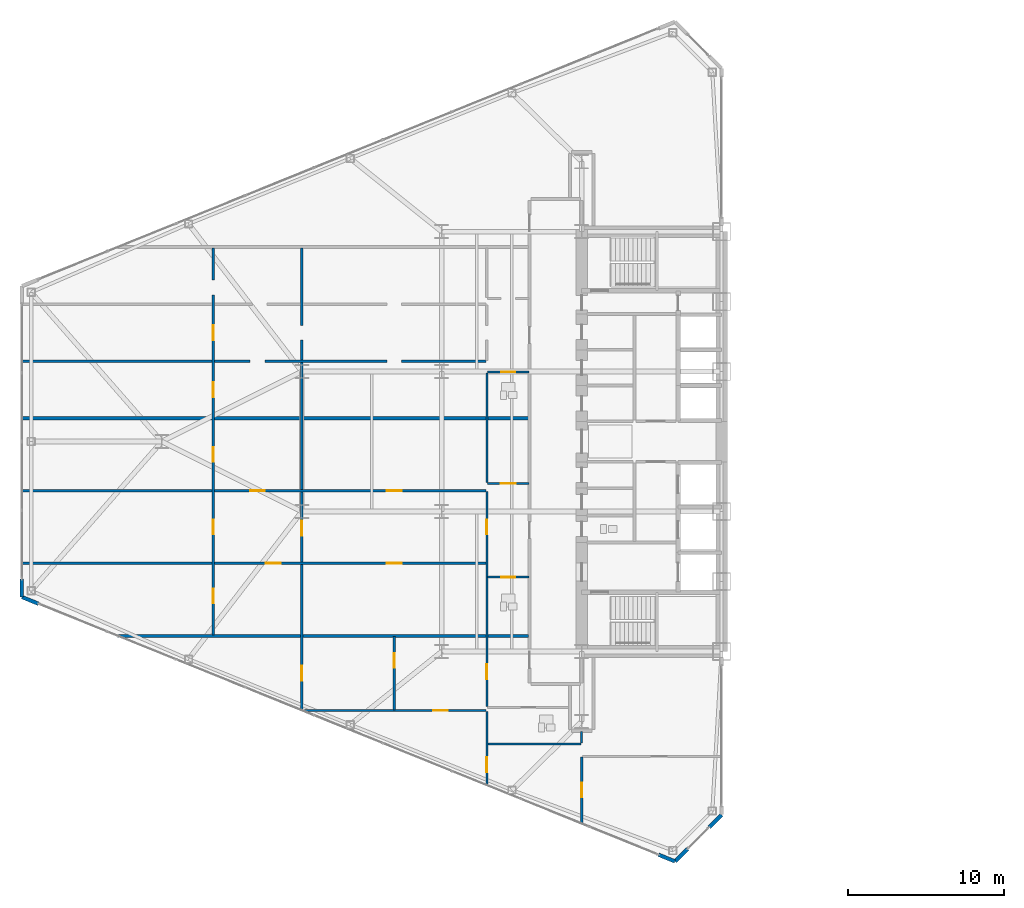
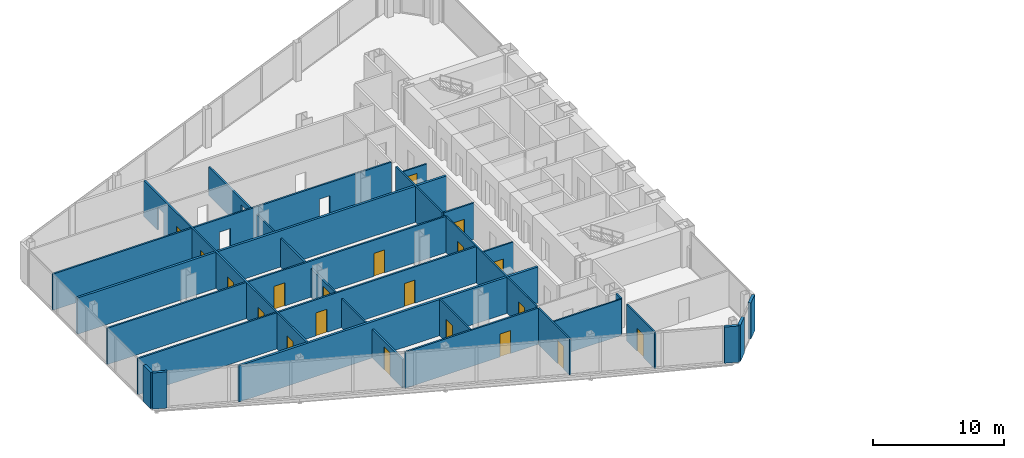
# One storey, part 17 of 25: 23 walls, 20 doors, 24 openings.
"""IFC4 building model written with IfcOpenShell, lengths in metres."""

from ifc_helpers import new_model, si_unit, direction, frame, frame_2d, origin, place, context, subcontext, project, spatial, rectangle, extrude, source, transform, mapped, material, layer, layer_set, type_object, type_shapes, element, fill, save


model = new_model("IFC4")

# Units and contexts
model_context = context("Model", 3, precision=1e-05, world=origin(), true_north=direction((0.0, 1.0)))
body_context = subcontext(model_context, "Body", "Model", "MODEL_VIEW")
ifc_project = project(units=[si_unit("LENGTHUNIT", "METRE"), si_unit("AREAUNIT", "SQUARE_METRE"), si_unit("VOLUMEUNIT", "CUBIC_METRE"), si_unit("PLANEANGLEUNIT", "RADIAN"), si_unit("MASSUNIT", "GRAM", prefix="KILO")], contexts=[model_context])

# Site, building, storey
site_placement = place(None, origin())
site = spatial("IfcSite", under=ifc_project, at=site_placement, CompositionType="ELEMENT")
building_placement = place(site_placement, origin())
building = spatial("IfcBuilding", under=site, at=building_placement, Name="Seokmaru Belvedere", CompositionType="ELEMENT")
storey_placement = place(building_placement, frame((0.0, 0.0, 58.5)))
storey = spatial("IfcBuildingStorey", under=building, at=storey_placement, Name="L15", CompositionType="ELEMENT", Elevation=58.5)

# Wall, opening, door
ifc_material_1 = material(Name="Fire-Rated Gypsum Shaftwall")
ifc_layer_1 = layer(ifc_material_1, 0.14990234375)
ifc_layer_set_1 = layer_set([ifc_layer_1], Name="Fire-Rated Gypsum Shaftwall")
wall_type_1 = type_object("IfcWallType", Name="Apartment Fire-Acoustic Room Partition 150", PredefinedType="PARTITIONING", material=ifc_layer_set_1)
wall_1_placement = place(storey_placement, frame((-54.412109375, -17.300048828125, 0.0), z_axis=(0.0, 0.0, 1.0), x_axis=(1.0, 0.0, 0.0)))
wall_1 = element("IfcWall", 1, at=wall_1_placement, inside=storey, type_object=wall_type_1, Name="L15 Interior Partition 005", PredefinedType="PARTITIONING", context=body_context, shape_type="SweptSolid", body=[
    extrude(rectangle(XDim=11.76220703125, YDim=0.14990234375, at=frame_2d((5.881103515625, 0.0))), origin(), (0.0, 0.0, 1.0), 3.3798828125),
])
opening_1_placement = place(wall_1_placement, frame((8.362060546875, 0.0, 0.0)))
opening_1 = element("IfcOpeningElement", 2, at=opening_1_placement, cuts=wall_1, Name="Opening D05", PredefinedType="OPENING", context=body_context, shape_type="SweptSolid", body=[
    extrude(rectangle(XDim=0.949951171875, YDim=2.14990234375, at=frame_2d((0.47509765625, 1.074951171875))), frame((0.0, 0.0849609375, 0.0), z_axis=(0.0, -1.0, 0.0), x_axis=(1.0, 0.0, 0.0)), (0.0, 0.0, 1.0), 0.169921875),
])
ifc_material_2 = material(Name="Engineered White Oak Timber", Category="wood")
door_type_1 = type_object("IfcDoorType", Name="Apartment Interior Fire-Rated Oak Door 950x2150", OperationType="NOTDEFINED", PredefinedType="DOOR", material=ifc_material_2)
shared_shape_1 = source(origin(), body_context, "Body", "SweptSolid", [
    extrude(rectangle(XDim=0.949951171875, YDim=2.14990234375, at=frame_2d((0.47509765625, 1.074951171875))), frame((0.0, 0.02490234375, 0.0), z_axis=(0.0, -1.0, 0.0), x_axis=(1.0, 0.0, 0.0)), (0.0, 0.0, 1.0), 0.050048828125),
])
type_shapes(door_type_1, [shared_shape_1])
door_1_placement = place(opening_1_placement, origin())
door_1 = element("IfcDoor", 3, at=door_1_placement, inside=storey, type_object=door_type_1, Name="L15 Interior Door 004", OperationType="SINGLE_SWING_LEFT", OverallHeight=2.14990234375, OverallWidth=0.949951171875, PredefinedType="DOOR", context=body_context, shape_type="MappedRepresentation", body=[
    mapped(shared_shape_1, transform((0.0, 0.0, 0.0), scale=1.0)),
])
fill(opening_1, door_1)

# Wall, openings, doors
wall_2_placement = place(storey_placement, frame((-72.534912109375, -7.830078125, 0.0), z_axis=(0.0, 0.0, 1.0), x_axis=(1.0, 0.0, 0.0)))
wall_2 = element("IfcWall", 4, at=wall_2_placement, inside=storey, type_object=wall_type_1, Name="L15 Interior Partition 011", PredefinedType="PARTITIONING", context=body_context, shape_type="SweptSolid", body=[
    extrude(rectangle(XDim=29.885009765625, YDim=0.14990234375, at=frame_2d((14.9423828125, 0.0))), origin(), (0.0, 0.0, 1.0), 3.3798828125),
])
opening_2_placement = place(wall_2_placement, frame((23.510009765625, 0.0, 0.0)))
opening_2 = element("IfcOpeningElement", 5, at=opening_2_placement, cuts=wall_2, Name="Opening D05", PredefinedType="OPENING", context=body_context, shape_type="SweptSolid", body=[
    extrude(rectangle(XDim=0.949951171875, YDim=2.14990234375, at=frame_2d((0.47509765625, 1.074951171875))), frame((0.0, 0.0849609375, 0.0), z_axis=(0.0, -1.0, 0.0), x_axis=(1.0, 0.0, 0.0)), (0.0, 0.0, 1.0), 0.169921875),
])
opening_3_placement = place(wall_2_placement, frame((15.731201171875, 0.0, 0.0)))
opening_3 = element("IfcOpeningElement", 6, at=opening_3_placement, cuts=wall_2, Name="Opening D05", PredefinedType="OPENING", context=body_context, shape_type="SweptSolid", body=[
    extrude(rectangle(XDim=0.949951171875, YDim=2.14990234375, at=frame_2d((0.47509765625, 1.074951171875))), frame((0.0, 0.0849609375, 0.0), z_axis=(0.0, -1.0, 0.0), x_axis=(1.0, 0.0, 0.0)), (0.0, 0.0, 1.0), 0.169921875),
])
door_2_placement = place(opening_2_placement, origin())
door_2 = element("IfcDoor", 7, at=door_2_placement, inside=storey, type_object=door_type_1, Name="L15 Interior Door 015", OperationType="SINGLE_SWING_RIGHT", OverallHeight=2.14990234375, OverallWidth=0.949951171875, PredefinedType="DOOR", context=body_context, shape_type="MappedRepresentation", body=[
    mapped(shared_shape_1, transform((0.0, 0.0, 0.0), scale=1.0)),
])
fill(opening_2, door_2)
door_3_placement = place(opening_3_placement, origin())
door_3 = element("IfcDoor", 8, at=door_3_placement, inside=storey, type_object=door_type_1, Name="L15 Interior Door 017", OperationType="SINGLE_SWING_LEFT", OverallHeight=2.14990234375, OverallWidth=0.949951171875, PredefinedType="DOOR", context=body_context, shape_type="MappedRepresentation", body=[
    mapped(shared_shape_1, transform((0.0, 0.0, 0.0), scale=1.0)),
])
fill(opening_3, door_3)

wall_3_placement = place(storey_placement, frame((-72.534912109375, -3.169921875, 0.0), z_axis=(0.0, 0.0, 1.0), x_axis=(1.0, 0.0, 0.0)))
wall_3 = element("IfcWall", 9, at=wall_3_placement, inside=storey, type_object=wall_type_1, Name="L15 Interior Partition 013", PredefinedType="PARTITIONING", context=body_context, shape_type="SweptSolid", body=[
    extrude(rectangle(XDim=29.885009765625, YDim=0.14990234375, at=frame_2d((14.9423828125, 0.0))), origin(), (0.0, 0.0, 1.0), 3.3798828125),
])
opening_4_placement = place(wall_3_placement, frame((23.510009765625, 0.0, 0.0)))
opening_4 = element("IfcOpeningElement", 10, at=opening_4_placement, cuts=wall_3, Name="Opening D05", PredefinedType="OPENING", context=body_context, shape_type="SweptSolid", body=[
    extrude(rectangle(XDim=0.949951171875, YDim=2.14990234375, at=frame_2d((0.47509765625, 1.074951171875))), frame((0.0, 0.0849609375, 0.0), z_axis=(0.0, -1.0, 0.0), x_axis=(1.0, 0.0, 0.0)), (0.0, 0.0, 1.0), 0.169921875),
])
opening_5_placement = place(wall_3_placement, frame((14.7099609375, 0.0, 0.0)))
opening_5 = element("IfcOpeningElement", 11, at=opening_5_placement, cuts=wall_3, Name="Opening D05", PredefinedType="OPENING", context=body_context, shape_type="SweptSolid", body=[
    extrude(rectangle(XDim=0.949951171875, YDim=2.14990234375, at=frame_2d((0.47509765625, 1.074951171875))), frame((0.0, 0.0849609375, 0.0), z_axis=(0.0, -1.0, 0.0), x_axis=(1.0, 0.0, 0.0)), (0.0, 0.0, 1.0), 0.169921875),
])
door_4_placement = place(opening_4_placement, origin())
door_4 = element("IfcDoor", 12, at=door_4_placement, inside=storey, type_object=door_type_1, Name="L15 Interior Door 016", OperationType="SINGLE_SWING_LEFT", OverallHeight=2.14990234375, OverallWidth=0.949951171875, PredefinedType="DOOR", context=body_context, shape_type="MappedRepresentation", body=[
    mapped(shared_shape_1, transform((0.0, 0.0, 0.0), scale=1.0)),
])
fill(opening_4, door_4)
door_5_placement = place(opening_5_placement, origin())
door_5 = element("IfcDoor", 13, at=door_5_placement, inside=storey, type_object=door_type_1, Name="L15 Interior Door 020", OperationType="SINGLE_SWING_LEFT", OverallHeight=2.14990234375, OverallWidth=0.949951171875, PredefinedType="DOOR", context=body_context, shape_type="MappedRepresentation", body=[
    mapped(shared_shape_1, transform((0.0, 0.0, 0.0), scale=1.0)),
])
fill(opening_5, door_5)

# Wall, opening, door
wall_4_placement = place(storey_placement, frame((-42.550048828125, -2.699951171875, 0.0), z_axis=(0.0, 0.0, 1.0), x_axis=(1.0, 0.0, 0.0)))
wall_4 = element("IfcWall", 14, at=wall_4_placement, inside=storey, type_object=wall_type_1, Name="L15 Interior Partition 014", PredefinedType="PARTITIONING", context=body_context, shape_type="SweptSolid", body=[
    extrude(rectangle(XDim=2.650146484375, YDim=0.14990234375, at=frame_2d((1.3251953125, 0.0))), origin(), (0.0, 0.0, 1.0), 3.3798828125),
])
opening_6_placement = place(wall_4_placement, frame((0.85009765625, 0.0, 0.0)))
opening_6 = element("IfcOpeningElement", 15, at=opening_6_placement, cuts=wall_4, Name="Opening D05", PredefinedType="OPENING", context=body_context, shape_type="SweptSolid", body=[
    extrude(rectangle(XDim=0.949951171875, YDim=2.14990234375, at=frame_2d((0.47509765625, 1.074951171875))), frame((0.0, 0.0849609375, 0.0), z_axis=(0.0, -1.0, 0.0), x_axis=(1.0, 0.0, 0.0)), (0.0, 0.0, 1.0), 0.169921875),
])
door_6_placement = place(opening_6_placement, origin())
door_6 = element("IfcDoor", 16, at=door_6_placement, inside=storey, type_object=door_type_1, Name="L15 Interior Door 012", OperationType="SINGLE_SWING_LEFT", OverallHeight=2.14990234375, OverallWidth=0.949951171875, PredefinedType="DOOR", context=body_context, shape_type="MappedRepresentation", body=[
    mapped(shared_shape_1, transform((0.0, 0.0, 0.0), scale=1.0)),
])
fill(opening_6, door_6)

# Wall, openings
wall_5_placement = place(storey_placement, frame((-72.534912109375, 5.169921875, 0.0), z_axis=(0.0, 0.0, 1.0), x_axis=(1.0, 0.0, 0.0)))
wall_5 = element("IfcWall", 17, at=wall_5_placement, inside=storey, type_object=wall_type_1, Name="L15 Interior Partition 021", PredefinedType="PARTITIONING", context=body_context, shape_type="SweptSolid", body=[
    extrude(rectangle(XDim=29.885009765625, YDim=0.14990234375, at=frame_2d((14.9423828125, 0.0))), origin(), (0.0, 0.0, 1.0), 3.3798828125),
])
opening_7_placement = place(wall_5_placement, frame((23.510009765625, 0.0, 0.0)))
element("IfcOpeningElement", 18, at=opening_7_placement, cuts=wall_5, Name="L15 Cased Opening 027", PredefinedType="OPENING", context=body_context, shape_type="SweptSolid", body=[
    extrude(rectangle(XDim=0.949951171875, YDim=2.14990234375, at=frame_2d((0.47509765625, 1.074951171875))), frame((0.0, 0.0849609375, 0.0), z_axis=(0.0, -1.0, 0.0), x_axis=(1.0, 0.0, 0.0)), (0.0, 0.0, 1.0), 0.169921875),
])
opening_8_placement = place(wall_5_placement, frame((14.7099609375, 0.0, 0.0)))
element("IfcOpeningElement", 19, at=opening_8_placement, cuts=wall_5, Name="L15 Cased Opening 029", PredefinedType="OPENING", context=body_context, shape_type="SweptSolid", body=[
    extrude(rectangle(XDim=0.949951171875, YDim=2.14990234375, at=frame_2d((0.47509765625, 1.074951171875))), frame((0.0, 0.0849609375, 0.0), z_axis=(0.0, -1.0, 0.0), x_axis=(1.0, 0.0, 0.0)), (0.0, 0.0, 1.0), 0.169921875),
])

# Wall, openings, doors
wall_6_placement = place(storey_placement, frame((-60.199951171875, -12.449951171875, 0.0), z_axis=(0.0, 0.0, 1.0), x_axis=(0.0, 1.0, 0.0)))
wall_6 = element("IfcWall", 20, at=wall_6_placement, inside=storey, type_object=wall_type_1, Name="L15 Interior Partition 036", PredefinedType="PARTITIONING", context=body_context, shape_type="SweptSolid", body=[
    extrude(rectangle(XDim=24.89990234375, YDim=0.14990234375, at=frame_2d((12.449951171875, 0.0))), origin(), (0.0, 0.0, 1.0), 3.3798828125),
])
opening_9_placement = place(wall_6_placement, frame((2.049072265625, 0.0, 0.0)))
opening_9 = element("IfcOpeningElement", 21, at=opening_9_placement, cuts=wall_6, Name="Opening D05", PredefinedType="OPENING", context=body_context, shape_type="SweptSolid", body=[
    extrude(rectangle(XDim=0.949951171875, YDim=2.14990234375, at=frame_2d((0.47509765625, 1.074951171875))), frame((0.0, 0.0849609375, 0.0), z_axis=(0.0, -1.0, 0.0), x_axis=(1.0, 0.0, 0.0)), (0.0, 0.0, 1.0), 0.169921875),
])
opening_10_placement = place(wall_6_placement, frame((6.47509765625, 0.0, 0.0)))
opening_10 = element("IfcOpeningElement", 22, at=opening_10_placement, cuts=wall_6, Name="Opening D05", PredefinedType="OPENING", context=body_context, shape_type="SweptSolid", body=[
    extrude(rectangle(XDim=0.949951171875, YDim=2.14990234375, at=frame_2d((0.47509765625, 1.074951171875))), frame((0.0, 0.0849609375, 0.0), z_axis=(0.0, -1.0, 0.0), x_axis=(1.0, 0.0, 0.0)), (0.0, 0.0, 1.0), 0.169921875),
])
opening_11_placement = place(wall_6_placement, frame((11.1416015625, 0.0, 0.0)))
opening_11 = element("IfcOpeningElement", 23, at=opening_11_placement, cuts=wall_6, Name="Opening D05", PredefinedType="OPENING", context=body_context, shape_type="SweptSolid", body=[
    extrude(rectangle(XDim=0.949951171875, YDim=2.14990234375, at=frame_2d((0.47509765625, 1.074951171875))), frame((0.0, 0.0849609375, 0.0), z_axis=(0.0, -1.0, 0.0), x_axis=(1.0, 0.0, 0.0)), (0.0, 0.0, 1.0), 0.169921875),
])
opening_12_placement = place(wall_6_placement, frame((15.308349609375, 0.0, 0.0)))
opening_12 = element("IfcOpeningElement", 24, at=opening_12_placement, cuts=wall_6, Name="Opening D05", PredefinedType="OPENING", context=body_context, shape_type="SweptSolid", body=[
    extrude(rectangle(XDim=0.949951171875, YDim=2.14990234375, at=frame_2d((0.47509765625, 1.074951171875))), frame((0.0, 0.0849609375, 0.0), z_axis=(0.0, -1.0, 0.0), x_axis=(1.0, 0.0, 0.0)), (0.0, 0.0, 1.0), 0.169921875),
])
opening_13_placement = place(wall_6_placement, frame((18.97509765625, 0.0, 0.0)))
opening_13 = element("IfcOpeningElement", 25, at=opening_13_placement, cuts=wall_6, Name="Opening D05", PredefinedType="OPENING", context=body_context, shape_type="SweptSolid", body=[
    extrude(rectangle(XDim=0.949951171875, YDim=2.14990234375, at=frame_2d((0.47509765625, 1.074951171875))), frame((0.0, 0.0849609375, 0.0), z_axis=(0.0, -1.0, 0.0), x_axis=(1.0, 0.0, 0.0)), (0.0, 0.0, 1.0), 0.169921875),
])
opening_14_placement = place(wall_6_placement, frame((21.87548828125, 0.0, 0.0)))
element("IfcOpeningElement", 26, at=opening_14_placement, cuts=wall_6, Name="L15 Cased Opening 033", PredefinedType="OPENING", context=body_context, shape_type="SweptSolid", body=[
    extrude(rectangle(XDim=0.949951171875, YDim=2.14990234375, at=frame_2d((0.47509765625, 1.074951171875))), frame((0.0, 0.0849609375, 0.0), z_axis=(0.0, -1.0, 0.0), x_axis=(1.0, 0.0, 0.0)), (0.0, 0.0, 1.0), 0.169921875),
])
door_7_placement = place(opening_9_placement, origin())
door_7 = element("IfcDoor", 27, at=door_7_placement, inside=storey, type_object=door_type_1, Name="L15 Interior Door 018", OperationType="SINGLE_SWING_RIGHT", OverallHeight=2.14990234375, OverallWidth=0.949951171875, PredefinedType="DOOR", context=body_context, shape_type="MappedRepresentation", body=[
    mapped(shared_shape_1, transform((0.0, 0.0, 0.0), scale=1.0)),
])
fill(opening_9, door_7)
door_8_placement = place(opening_10_placement, origin())
door_8 = element("IfcDoor", 28, at=door_8_placement, inside=storey, type_object=door_type_1, Name="L15 Interior Door 019", OperationType="SINGLE_SWING_RIGHT", OverallHeight=2.14990234375, OverallWidth=0.949951171875, PredefinedType="DOOR", context=body_context, shape_type="MappedRepresentation", body=[
    mapped(shared_shape_1, transform((0.0, 0.0, 0.0), scale=1.0)),
])
fill(opening_10, door_8)
door_9_placement = place(opening_11_placement, origin())
door_9 = element("IfcDoor", 29, at=door_9_placement, inside=storey, type_object=door_type_1, Name="L15 Interior Door 021", OperationType="SINGLE_SWING_RIGHT", OverallHeight=2.14990234375, OverallWidth=0.949951171875, PredefinedType="DOOR", context=body_context, shape_type="MappedRepresentation", body=[
    mapped(shared_shape_1, transform((0.0, 0.0, 0.0), scale=1.0)),
])
fill(opening_11, door_9)
door_10_placement = place(opening_12_placement, origin())
door_10 = element("IfcDoor", 30, at=door_10_placement, inside=storey, type_object=door_type_1, Name="L15 Interior Door 030", OperationType="SINGLE_SWING_RIGHT", OverallHeight=2.14990234375, OverallWidth=0.949951171875, PredefinedType="DOOR", context=body_context, shape_type="MappedRepresentation", body=[
    mapped(shared_shape_1, transform((0.0, 0.0, 0.0), scale=1.0)),
])
fill(opening_12, door_10)
door_11_placement = place(opening_13_placement, origin())
door_11 = element("IfcDoor", 31, at=door_11_placement, inside=storey, type_object=door_type_1, Name="L15 Interior Door 031", OperationType="SINGLE_SWING_RIGHT", OverallHeight=2.14990234375, OverallWidth=0.949951171875, PredefinedType="DOOR", context=body_context, shape_type="MappedRepresentation", body=[
    mapped(shared_shape_1, transform((0.0, 0.0, 0.0), scale=1.0)),
])
fill(opening_13, door_11)

wall_7_placement = place(storey_placement, frame((-54.5, -17.236083984375, 0.0), z_axis=(0.0, 0.0, 1.0), x_axis=(0.0, 1.0, 0.0)))
wall_7 = element("IfcWall", 32, at=wall_7_placement, inside=storey, type_object=wall_type_1, Name="L15 Interior Partition 037", PredefinedType="PARTITIONING", context=body_context, shape_type="SweptSolid", body=[
    extrude(rectangle(XDim=29.68603515625, YDim=0.14990234375, at=frame_2d((14.843017578125, 0.0))), origin(), (0.0, 0.0, 1.0), 2.679931640625),
])
opening_15_placement = place(wall_7_placement, frame((1.8681640625, 0.0, 0.0)))
opening_15 = element("IfcOpeningElement", 33, at=opening_15_placement, cuts=wall_7, Name="Opening D05", PredefinedType="OPENING", context=body_context, shape_type="SweptSolid", body=[
    extrude(rectangle(XDim=0.949951171875, YDim=2.14990234375, at=frame_2d((0.47509765625, 1.074951171875))), frame((0.0, 0.0849609375, 0.0), z_axis=(0.0, -1.0, 0.0), x_axis=(1.0, 0.0, 0.0)), (0.0, 0.0, 1.0), 0.169921875),
])
opening_16_placement = place(wall_7_placement, frame((11.1875, 0.0, 0.0)))
opening_16 = element("IfcOpeningElement", 34, at=opening_16_placement, cuts=wall_7, Name="Opening D05", PredefinedType="OPENING", context=body_context, shape_type="SweptSolid", body=[
    extrude(rectangle(XDim=0.949951171875, YDim=2.14990234375, at=frame_2d((0.47509765625, 1.074951171875))), frame((0.0, 0.0849609375, 0.0), z_axis=(0.0, -1.0, 0.0), x_axis=(1.0, 0.0, 0.0)), (0.0, 0.0, 1.0), 0.169921875),
])
opening_17_placement = place(wall_7_placement, frame((23.760986328125, 0.0, 0.0)))
element("IfcOpeningElement", 35, at=opening_17_placement, cuts=wall_7, Name="L15 Cased Opening 026", PredefinedType="OPENING", context=body_context, shape_type="SweptSolid", body=[
    extrude(rectangle(XDim=0.949951171875, YDim=2.14990234375, at=frame_2d((0.47509765625, 1.074951171875))), frame((0.0, 0.0849609375, 0.0), z_axis=(0.0, -1.0, 0.0), x_axis=(1.0, 0.0, 0.0)), (0.0, 0.0, 1.0), 0.169921875),
])
door_12_placement = place(opening_15_placement, origin())
door_12 = element("IfcDoor", 36, at=door_12_placement, inside=storey, type_object=door_type_1, Name="L15 Interior Door 007", OperationType="SINGLE_SWING_LEFT", OverallHeight=2.14990234375, OverallWidth=0.949951171875, PredefinedType="DOOR", context=body_context, shape_type="MappedRepresentation", body=[
    mapped(shared_shape_1, transform((0.0, 0.0, 0.0), scale=1.0)),
])
fill(opening_15, door_12)
door_13_placement = place(opening_16_placement, origin())
door_13 = element("IfcDoor", 37, at=door_13_placement, inside=storey, type_object=door_type_1, Name="L15 Interior Door 014", OperationType="SINGLE_SWING_LEFT", OverallHeight=2.14990234375, OverallWidth=0.949951171875, PredefinedType="DOOR", context=body_context, shape_type="MappedRepresentation", body=[
    mapped(shared_shape_1, transform((0.0, 0.0, 0.0), scale=1.0)),
])
fill(opening_16, door_13)

# Wall, opening, door
wall_8_placement = place(storey_placement, frame((-48.550048828125, -17.2509765625, 0.0), z_axis=(0.0, 0.0, 1.0), x_axis=(0.0, 1.0, 0.0)))
wall_8 = element("IfcWall", 38, at=wall_8_placement, inside=storey, type_object=wall_type_1, Name="L15 Interior Partition 038", PredefinedType="PARTITIONING", context=body_context, shape_type="SweptSolid", body=[
    extrude(rectangle(XDim=4.700927734375, YDim=0.14990234375, at=frame_2d((2.3505859375, 0.0))), origin(), (0.0, 0.0, 1.0), 3.3798828125),
])
opening_18_placement = place(wall_8_placement, frame((2.696044921875, 0.0, 0.0)))
opening_18 = element("IfcOpeningElement", 39, at=opening_18_placement, cuts=wall_8, Name="Opening D05", PredefinedType="OPENING", context=body_context, shape_type="SweptSolid", body=[
    extrude(rectangle(XDim=0.949951171875, YDim=2.14990234375, at=frame_2d((0.47509765625, 1.074951171875))), frame((0.0, 0.0849609375, 0.0), z_axis=(0.0, -1.0, 0.0), x_axis=(1.0, 0.0, 0.0)), (0.0, 0.0, 1.0), 0.169921875),
])
door_14_placement = place(opening_18_placement, origin())
door_14 = element("IfcDoor", 40, at=door_14_placement, inside=storey, type_object=door_type_1, Name="L15 Interior Door 005", OperationType="SINGLE_SWING_RIGHT", OverallHeight=2.14990234375, OverallWidth=0.949951171875, PredefinedType="DOOR", context=body_context, shape_type="MappedRepresentation", body=[
    mapped(shared_shape_1, transform((0.0, 0.0, 0.0), scale=1.0)),
])
fill(opening_18, door_14)

wall_9_placement = place(storey_placement, frame((-36.5, -24.60595703125, 0.0), z_axis=(0.0, 0.0, 1.0), x_axis=(0.0, 1.0, 0.0)))
wall_9 = element("IfcWall", 41, at=wall_9_placement, inside=storey, type_object=wall_type_1, Name="L15 Interior Partition 047", PredefinedType="PARTITIONING", context=body_context, shape_type="SweptSolid", body=[
    extrude(rectangle(XDim=4.305908203125, YDim=0.14990234375, at=frame_2d((2.15283203125, 0.0))), origin(), (0.0, 0.0, 1.0), 3.3798828125),
])
opening_19_placement = place(wall_9_placement, frame((1.72021484375, 0.0, 0.0)))
opening_19 = element("IfcOpeningElement", 42, at=opening_19_placement, cuts=wall_9, Name="Opening D05", PredefinedType="OPENING", context=body_context, shape_type="SweptSolid", body=[
    extrude(rectangle(XDim=0.949951171875, YDim=2.14990234375, at=frame_2d((0.47509765625, 1.074951171875))), frame((0.0, 0.0849609375, 0.0), z_axis=(0.0, -1.0, 0.0), x_axis=(1.0, 0.0, 0.0)), (0.0, 0.0, 1.0), 0.169921875),
])
door_15_placement = place(opening_19_placement, origin())
door_15 = element("IfcDoor", 43, at=door_15_placement, inside=storey, type_object=door_type_1, Name="L15 Interior Door 008", OperationType="SINGLE_SWING_RIGHT", OverallHeight=2.14990234375, OverallWidth=0.949951171875, PredefinedType="DOOR", context=body_context, shape_type="MappedRepresentation", body=[
    mapped(shared_shape_1, transform((0.0, 0.0, 0.0), scale=1.0)),
])
fill(opening_19, door_15)

# Walls
ifc_layer_2 = layer(ifc_material_1, 0.199951171875)
ifc_layer_set_2 = layer_set([ifc_layer_2], Name="Fire-Rated Gypsum Shaftwall")
wall_type_2 = type_object("IfcWallType", Name="Inter-Tenancy Fire Compartment Partition 200", PredefinedType="PARTITIONING", material=ifc_layer_set_2)
wall_10_placement = place(storey_placement, frame((-66.3369140625, -12.5, 0.0), z_axis=(0.0, 0.0, 1.0), x_axis=(1.0, 0.0, 0.0)))
element("IfcWall", 44, at=wall_10_placement, inside=storey, type_object=wall_type_2, Name="L15 Interior Partition 009", PredefinedType="PARTITIONING", context=body_context, shape_type="SweptSolid", body=[
    extrude(rectangle(XDim=26.406982421875, YDim=0.199951171875, at=frame_2d((13.20361328125, 0.0))), origin(), (0.0, 0.0, 1.0), 3.3798828125),
])
wall_11_placement = place(storey_placement, frame((-72.5048828125, 1.5, 0.0), z_axis=(0.0, 0.0, 1.0), x_axis=(1.0, 0.0, 0.0)))
element("IfcWall", 45, at=wall_11_placement, inside=storey, type_object=wall_type_2, Name="L15 Interior Partition 017", PredefinedType="PARTITIONING", context=body_context, shape_type="SweptSolid", body=[
    extrude(rectangle(XDim=32.574951171875, YDim=0.199951171875, at=frame_2d((16.28759765625, 0.0))), origin(), (0.0, 0.0, 1.0), 3.3798828125),
])
ifc_layer_3 = layer(ifc_material_1, 0.1298828125)
ifc_layer_set_3 = layer_set([ifc_layer_3], Name="Fire-Rated Gypsum Shaftwall")
wall_type_3 = type_object("IfcWallType", Name="Moisture-Resistant Fire-Rated Bathroom Partition 130", PredefinedType="PARTITIONING", material=ifc_layer_set_3)
wall_12_placement = place(storey_placement, frame((-42.550048828125, -19.449951171875, 0.0), z_axis=(0.0, 0.0, 1.0), x_axis=(1.0, 0.0, 0.0)))
element("IfcWall", 46, at=wall_12_placement, inside=storey, type_object=wall_type_3, Name="L15 Interior Partition 002", PredefinedType="PARTITIONING", context=body_context, shape_type="SweptSolid", body=[
    extrude(rectangle(XDim=6.0, YDim=0.1298828125, at=frame_2d((3.0, 0.0))), origin(), (0.0, 0.0, 1.0), 3.3798828125),
])

# Wall, opening, door
wall_13_placement = place(storey_placement, frame((-42.550048828125, -8.719970703125, 0.0), z_axis=(0.0, 0.0, 1.0), x_axis=(1.0, 0.0, 0.0)))
wall_13 = element("IfcWall", 47, at=wall_13_placement, inside=storey, type_object=wall_type_3, Name="L15 Interior Partition 010", PredefinedType="PARTITIONING", context=body_context, shape_type="SweptSolid", body=[
    extrude(rectangle(XDim=2.650146484375, YDim=0.1298828125, at=frame_2d((1.3251953125, 0.0))), origin(), (0.0, 0.0, 1.0), 3.3798828125),
])
opening_20_placement = place(wall_13_placement, frame((0.885009765625, 0.0, 0.0)))
opening_20 = element("IfcOpeningElement", 48, at=opening_20_placement, cuts=wall_13, Name="Opening D06", PredefinedType="OPENING", context=body_context, shape_type="SweptSolid", body=[
    extrude(rectangle(XDim=0.8798828125, YDim=2.10009765625, at=frame_2d((0.43994140625, 1.050048828125))), frame((0.0, 0.074951171875, 0.0), z_axis=(0.0, -1.0, 0.0), x_axis=(1.0, 0.0, 0.0)), (0.0, 0.0, 1.0), 0.14990234375),
])
door_type_2 = type_object("IfcDoorType", Name="Bathroom and Restroom Fire-Rated Door 880x2100", OperationType="NOTDEFINED", PredefinedType="DOOR", material=ifc_material_2)
shared_shape_2 = source(origin(), body_context, "Body", "SweptSolid", [
    extrude(rectangle(XDim=0.8798828125, YDim=2.10009765625, at=frame_2d((0.43994140625, 1.050048828125))), frame((0.0, 0.02490234375, 0.0), z_axis=(0.0, -1.0, 0.0), x_axis=(1.0, 0.0, 0.0)), (0.0, 0.0, 1.0), 0.050048828125),
])
type_shapes(door_type_2, [shared_shape_2])
door_16_placement = place(opening_20_placement, origin())
door_16 = element("IfcDoor", 49, at=door_16_placement, inside=storey, type_object=door_type_2, Name="L15 Interior Door 011", OperationType="SINGLE_SWING_LEFT", OverallHeight=2.10009765625, OverallWidth=0.8798828125, PredefinedType="DOOR", context=body_context, shape_type="MappedRepresentation", body=[
    mapped(shared_shape_2, transform((0.0, 0.0, 0.0), scale=1.0)),
])
fill(opening_20, door_16)

wall_14_placement = place(storey_placement, frame((-42.550048828125, 4.469970703125, 0.0), z_axis=(0.0, 0.0, 1.0), x_axis=(1.0, 0.0, 0.0)))
wall_14 = element("IfcWall", 50, at=wall_14_placement, inside=storey, type_object=wall_type_3, Name="L15 Interior Partition 020", PredefinedType="PARTITIONING", context=body_context, shape_type="SweptSolid", body=[
    extrude(rectangle(XDim=2.650146484375, YDim=0.1298828125, at=frame_2d((1.3251953125, 0.0))), origin(), (0.0, 0.0, 1.0), 2.679931640625),
])
opening_21_placement = place(wall_14_placement, frame((0.885009765625, 0.0, 0.0)))
opening_21 = element("IfcOpeningElement", 51, at=opening_21_placement, cuts=wall_14, Name="Opening D06", PredefinedType="OPENING", context=body_context, shape_type="SweptSolid", body=[
    extrude(rectangle(XDim=0.8798828125, YDim=2.10009765625, at=frame_2d((0.43994140625, 1.050048828125))), frame((0.0, 0.074951171875, 0.0), z_axis=(0.0, -1.0, 0.0), x_axis=(1.0, 0.0, 0.0)), (0.0, 0.0, 1.0), 0.14990234375),
])
door_17_placement = place(opening_21_placement, origin())
door_17 = element("IfcDoor", 52, at=door_17_placement, inside=storey, type_object=door_type_2, Name="L15 Interior Door 023", OperationType="SINGLE_SWING_LEFT", OverallHeight=2.10009765625, OverallWidth=0.8798828125, PredefinedType="DOOR", context=body_context, shape_type="MappedRepresentation", body=[
    mapped(shared_shape_2, transform((0.0, 0.0, 0.0), scale=1.0)),
])
fill(opening_21, door_17)

wall_15_placement = place(storey_placement, frame((-42.60009765625, -22.136962890625, 0.0), z_axis=(0.0, 0.0, 1.0), x_axis=(0.0, 1.0, 0.0)))
wall_15 = element("IfcWall", 53, at=wall_15_placement, inside=storey, type_object=wall_type_3, Name="L15 Interior Partition 039", PredefinedType="PARTITIONING", context=body_context, shape_type="SweptSolid", body=[
    extrude(rectangle(XDim=4.785888671875, YDim=0.1298828125, at=frame_2d((2.39306640625, 0.0))), origin(), (0.0, 0.0, 1.0), 3.3798828125),
])
opening_22_placement = place(wall_15_placement, frame((0.8857421875, 0.0, 0.0)))
opening_22 = element("IfcOpeningElement", 54, at=opening_22_placement, cuts=wall_15, Name="Opening D05", PredefinedType="OPENING", context=body_context, shape_type="SweptSolid", body=[
    extrude(rectangle(XDim=0.949951171875, YDim=2.14990234375, at=frame_2d((0.47509765625, 1.074951171875))), frame((0.0, 0.074951171875, 0.0), z_axis=(0.0, -1.0, 0.0), x_axis=(1.0, 0.0, 0.0)), (0.0, 0.0, 1.0), 0.14990234375),
])
door_18_placement = place(opening_22_placement, origin())
door_18 = element("IfcDoor", 55, at=door_18_placement, inside=storey, type_object=door_type_1, Name="L15 Interior Door 006", OperationType="SINGLE_SWING_RIGHT", OverallHeight=2.14990234375, OverallWidth=0.949951171875, PredefinedType="DOOR", context=body_context, shape_type="MappedRepresentation", body=[
    mapped(shared_shape_1, transform((0.0, 0.0, 0.0), scale=1.0)),
])
fill(opening_22, door_18)

# Wall, openings, doors
wall_16_placement = place(storey_placement, frame((-42.60009765625, -17.050048828125, 0.0), z_axis=(0.0, 0.0, 1.0), x_axis=(0.0, 1.0, 0.0)))
wall_16 = element("IfcWall", 56, at=wall_16_placement, inside=storey, type_object=wall_type_3, Name="L15 Interior Partition 040", PredefinedType="PARTITIONING", context=body_context, shape_type="SweptSolid", body=[
    extrude(rectangle(XDim=13.8330078125, YDim=0.1298828125, at=frame_2d((6.91650390625, 0.0))), origin(), (0.0, 0.0, 1.0), 3.3798828125),
])
opening_23_placement = place(wall_16_placement, frame((1.77490234375, 0.0, 0.0)))
opening_23 = element("IfcOpeningElement", 57, at=opening_23_placement, cuts=wall_16, Name="Opening D05", PredefinedType="OPENING", context=body_context, shape_type="SweptSolid", body=[
    extrude(rectangle(XDim=0.949951171875, YDim=2.14990234375, at=frame_2d((0.47509765625, 1.074951171875))), frame((0.0, 0.074951171875, 0.0), z_axis=(0.0, -1.0, 0.0), x_axis=(1.0, 0.0, 0.0)), (0.0, 0.0, 1.0), 0.14990234375),
])
opening_24_placement = place(wall_16_placement, frame((11.074951171875, 0.0, 0.0)))
opening_24 = element("IfcOpeningElement", 58, at=opening_24_placement, cuts=wall_16, Name="Opening D05", PredefinedType="OPENING", context=body_context, shape_type="SweptSolid", body=[
    extrude(rectangle(XDim=0.949951171875, YDim=2.14990234375, at=frame_2d((0.47509765625, 1.074951171875))), frame((0.0, 0.074951171875, 0.0), z_axis=(0.0, -1.0, 0.0), x_axis=(1.0, 0.0, 0.0)), (0.0, 0.0, 1.0), 0.14990234375),
])
door_19_placement = place(opening_23_placement, origin())
door_19 = element("IfcDoor", 59, at=door_19_placement, inside=storey, type_object=door_type_1, Name="L15 Interior Door 003", OperationType="SINGLE_SWING_RIGHT", OverallHeight=2.14990234375, OverallWidth=0.949951171875, PredefinedType="DOOR", context=body_context, shape_type="MappedRepresentation", body=[
    mapped(shared_shape_1, transform((0.0, 0.0, 0.0), scale=1.0)),
])
fill(opening_23, door_19)
door_20_placement = place(opening_24_placement, origin())
door_20 = element("IfcDoor", 60, at=door_20_placement, inside=storey, type_object=door_type_1, Name="L15 Interior Door 013", OperationType="SINGLE_SWING_RIGHT", OverallHeight=2.14990234375, OverallWidth=0.949951171875, PredefinedType="DOOR", context=body_context, shape_type="MappedRepresentation", body=[
    mapped(shared_shape_1, transform((0.0, 0.0, 0.0), scale=1.0)),
])
fill(opening_24, door_20)

# Walls
wall_17_placement = place(storey_placement, frame((-42.60009765625, -2.64794921875, 0.0), z_axis=(0.0, 0.0, 1.0), x_axis=(0.0, 1.0, 0.0)))
element("IfcWall", 61, at=wall_17_placement, inside=storey, type_object=wall_type_3, Name="L15 Interior Partition 041", PredefinedType="PARTITIONING", context=body_context, shape_type="SweptSolid", body=[
    extrude(rectangle(XDim=7.06591796875, YDim=0.1298828125, at=frame_2d((3.532958984375, 0.0))), origin(), (0.0, 0.0, 1.0), 3.3798828125),
])
wall_18_placement = place(storey_placement, frame((-36.5, -19.39990234375, 0.0), z_axis=(0.0, 0.0, 1.0), x_axis=(0.0, 1.0, 0.0)))
element("IfcWall", 62, at=wall_18_placement, inside=storey, type_object=wall_type_3, Name="L15 Interior Partition 048", PredefinedType="PARTITIONING", context=body_context, shape_type="SweptSolid", body=[
    extrude(rectangle(XDim=0.75, YDim=0.1298828125, at=frame_2d((0.375, 0.0))), origin(), (0.0, 0.0, 1.0), 3.3798828125),
])
ifc_material_3 = material(Name="Anodised Bronze Aluminium", Category="aluminium")
ifc_layer_4 = layer(ifc_material_3, 0.239990234375)
ifc_layer_set_4 = layer_set([ifc_layer_4], Name="Anodised Bronze Aluminium")
wall_type_4 = type_object("IfcWallType", Name="Tower Corner Spandrel Closure Wall 240", PredefinedType="SOLIDWALL", material=ifc_layer_set_4)
for number, where, z_axis, x_axis, name in (
    (63, (-72.5, -8.85009765625, 0.0), (0.0, 0.0, 1.0), (0.0, -1.0, 0.0), "L15 W Corner Closure Pier 4B"),
    (64, (-72.49072265625, -10.00390625, 0.0), (0.0, 0.0, 1.0), (0.927007103665, -0.375043770452, 0.0), "L15 W Corner Closure Pier 5A"),
    (65, (-31.56591796875, -26.568603515625, 0.0), (0.0, 0.0, 1.0), (0.927007103665, -0.375043770452, 0.0), "L15 W Corner Closure Pier 5B"),
):
    element("IfcWall", number, at=place(storey_placement, frame(where, z_axis=z_axis, x_axis=x_axis)), inside=storey, type_object=wall_type_4, Name=name, PredefinedType="SOLIDWALL", context=body_context, shape_type="SweptSolid", body=[
        extrude(rectangle(XDim=1.139892578125, YDim=0.239990234375, at=frame_2d((0.56982421875, 0.0))), origin(), (0.0, 0.0, 1.0), 3.3798828125),
    ])
for number, where, z_axis, x_axis, name in (
    (66, (-30.492919921875, -26.992919921875, 0.0), (0.0, 0.0, 1.0), (0.707106781187, 0.707106781187, 0.0), "L15 W Corner Closure Pier 6A"),
    (67, (-28.313232421875, -24.813232421875, 0.0), (0.0, 0.0, 1.0), (0.707106781187, 0.707106781187, 0.0), "L15 W Corner Closure Pier 6B"),
):
    element("IfcWall", number, at=place(storey_placement, frame(where, z_axis=z_axis, x_axis=x_axis)), inside=storey, type_object=wall_type_4, Name=name, PredefinedType="SOLIDWALL", context=body_context, shape_type="SweptSolid", body=[
        extrude(rectangle(XDim=1.14013671875, YDim=0.239990234375, at=frame_2d((0.570068359375, 0.0))), origin(), (0.0, 0.0, 1.0), 3.3798828125),
    ])

save(model, "model.ifc")
